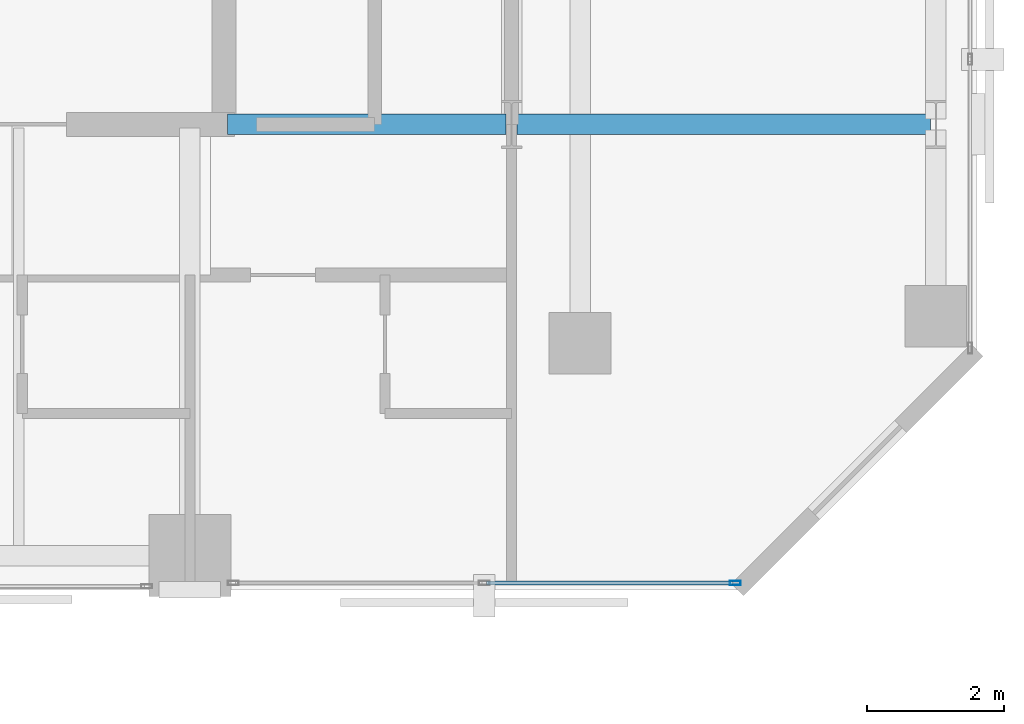
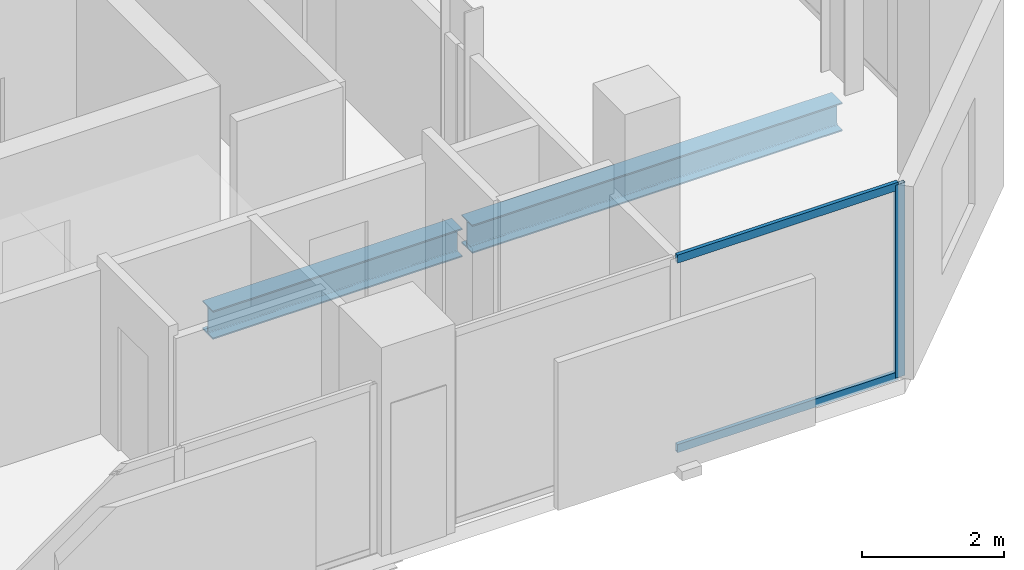
# One storey, part 15 of 35: 3 members, 2 beams, 1 element without a shape of its own.
"""IFC4 building model written with IfcOpenShell, lengths in metres."""

from ifc_helpers import new_model, si_unit, direction, frame, origin, origin_2d, place, context, subcontext, project, spatial, hollow_rectangle, i_section, extrude, material, layer, layer_set, material_profile, profile_set, type_object, element, aggregate, save


model = new_model("IFC4")

# Units and contexts
model_context = context("Model", 3, precision=1e-05, world=origin(), true_north=direction((0.0, 1.0)))
body_context = subcontext(model_context, "Body", "Model", "MODEL_VIEW")
ifc_project = project(units=[si_unit("LENGTHUNIT", "METRE"), si_unit("AREAUNIT", "SQUARE_METRE"), si_unit("VOLUMEUNIT", "CUBIC_METRE"), si_unit("PLANEANGLEUNIT", "RADIAN"), si_unit("MASSUNIT", "GRAM", prefix="KILO")], contexts=[model_context])

# Site, building, storey
site_placement = place(None, origin())
site = spatial("IfcSite", under=ifc_project, at=site_placement, CompositionType="ELEMENT")
building_placement = place(site_placement, origin())
building = spatial("IfcBuilding", under=site, at=building_placement, Name="Catumbela Crestline Tower", CompositionType="ELEMENT")
storey_placement = place(building_placement, frame((0.0, 0.0, 90.0)))
storey = spatial("IfcBuildingStorey", under=building, at=storey_placement, Name="L22", CompositionType="ELEMENT", Elevation=90.0)

# Beams
ifc_material_1 = material(Name="Structural steel S355J2", Category="steel")
ifc_material_profile_1 = material_profile(ifc_material_1, i_section(OverallWidth=0.3, OverallDepth=0.49, WebThickness=0.012, FlangeThickness=0.023, FilletRadius=0.027, at=origin_2d()), Name="HEA 500")
ifc_profile_set_1 = profile_set([ifc_material_profile_1], Name="Structural steel S355J2")
beam_type = type_object("IfcBeamType", Name="BG-HEA500", PredefinedType="BEAM", material=ifc_profile_set_1)
beam_1_placement = place(storey_placement, frame((40.05, 30.8, -0.505), z_axis=(1.0, 0.0, 0.0), x_axis=(0.0, 1.0, 0.0)))
element("IfcBeam", 1, at=beam_1_placement, inside=storey, type_object=beam_type, Name="L22 Beam BM-L22-M10", PredefinedType="BEAM", context=body_context, shape_type="SweptSolid", body=[
    extrude(i_section(OverallWidth=0.3, OverallDepth=0.49, WebThickness=0.012, FlangeThickness=0.023, FilletRadius=0.027, at=origin_2d()), origin(), (0.0, 0.0, 1.0), 4.07),
])
beam_2_placement = place(storey_placement, frame((44.28, 30.8, -0.505), z_axis=(1.0, 0.0, 0.0), x_axis=(0.0, 1.0, 0.0)))
element("IfcBeam", 2, at=beam_2_placement, inside=storey, type_object=beam_type, Name="L22 Beam BM-L22-M11", PredefinedType="BEAM", context=body_context, shape_type="SweptSolid", body=[
    extrude(i_section(OverallWidth=0.3, OverallDepth=0.49, WebThickness=0.012, FlangeThickness=0.023, FilletRadius=0.027, at=origin_2d()), origin(), (0.0, 0.0, 1.0), 6.04),
])

# Curtain wall, members
ifc_material_2 = material(Name="Aluminium alloy AW-6060-T66", Category="aluminium")
ifc_layer = layer(ifc_material_2, 0.18, Name="Aluminium alloy AW-6060-T66")
ifc_layer_set = layer_set([ifc_layer], Name="Aluminium alloy AW-6060-T66")
curtain_wall_type = type_object("IfcCurtainWallType", Name="CWU-Z2", PredefinedType="USERDEFINED", material=ifc_layer_set)
curtain_wall_placement = place(storey_placement, origin())
curtain_wall = element("IfcCurtainWall", 3, at=curtain_wall_placement, inside=storey, type_object=curtain_wall_type, Name="L22 Unitised Curtain Wall CW-L22-E3S3", ObjectType="UNITISED", PredefinedType="USERDEFINED")
ifc_material_profile_2 = material_profile(ifc_material_2, hollow_rectangle(XDim=0.06, YDim=0.16, WallThickness=0.004, at=origin_2d()), Name="ALU 160x60x4")
ifc_profile_set_2 = profile_set([ifc_material_profile_2], Name="Aluminium alloy AW-6060-T66")
member_type_1 = type_object("IfcMemberType", Name="MUL-160X60", PredefinedType="MULLION", material=ifc_profile_set_2)
member_1_placement = place(storey_placement, frame((47.4675, 24.1, 0.0), z_axis=(0.0, 0.0, 1.0), x_axis=(0.0, 1.0, 0.0)))
member_1 = element("IfcMember", 4, at=member_1_placement, type_object=member_type_1, Name="CWU-Z2 mullion 3", PredefinedType="MULLION", context=body_context, shape_type="SweptSolid", body=[
    extrude(hollow_rectangle(XDim=0.06, YDim=0.16, WallThickness=0.004, at=origin_2d()), origin(), (0.0, 0.0, 1.0), 3.33),
])
ifc_material_profile_3 = material_profile(ifc_material_2, hollow_rectangle(XDim=0.06, YDim=0.14, WallThickness=0.004, at=origin_2d()), Name="ALU 140x60x4")
ifc_profile_set_3 = profile_set([ifc_material_profile_3], Name="Aluminium alloy AW-6060-T66")
member_type_2 = type_object("IfcMemberType", Name="TRN-140X60", PredefinedType="USERDEFINED", material=ifc_profile_set_3)
member_2_placement = place(storey_placement, frame((43.8325, 24.1, 0.03), z_axis=(1.0, 0.0, 0.0), x_axis=(0.0, 1.0, 0.0)))
member_2 = element("IfcMember", 5, at=member_2_placement, type_object=member_type_2, Name="CWU-Z2 transom 2.1", ObjectType="TRANSOM", PredefinedType="USERDEFINED", context=body_context, shape_type="SweptSolid", body=[
    extrude(hollow_rectangle(XDim=0.06, YDim=0.14, WallThickness=0.004, at=origin_2d()), origin(), (0.0, 0.0, 1.0), 3.6025),
])
member_3_placement = place(storey_placement, frame((43.8325, 24.1, 3.3), z_axis=(1.0, 0.0, 0.0), x_axis=(0.0, 1.0, 0.0)))
member_3 = element("IfcMember", 6, at=member_3_placement, type_object=member_type_2, Name="CWU-Z2 transom 2.2", ObjectType="TRANSOM", PredefinedType="USERDEFINED", context=body_context, shape_type="SweptSolid", body=[
    extrude(hollow_rectangle(XDim=0.06, YDim=0.14, WallThickness=0.004, at=origin_2d()), origin(), (0.0, 0.0, 1.0), 3.6025),
])
aggregate(curtain_wall, [member_1, member_2, member_3])

save(model, "model.ifc")
